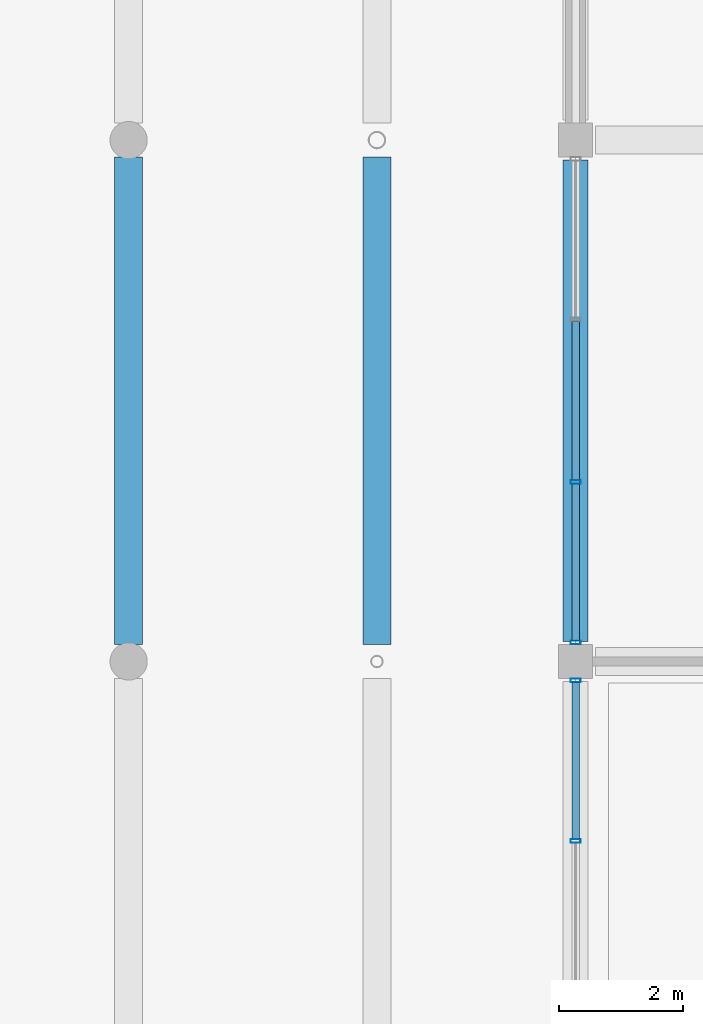
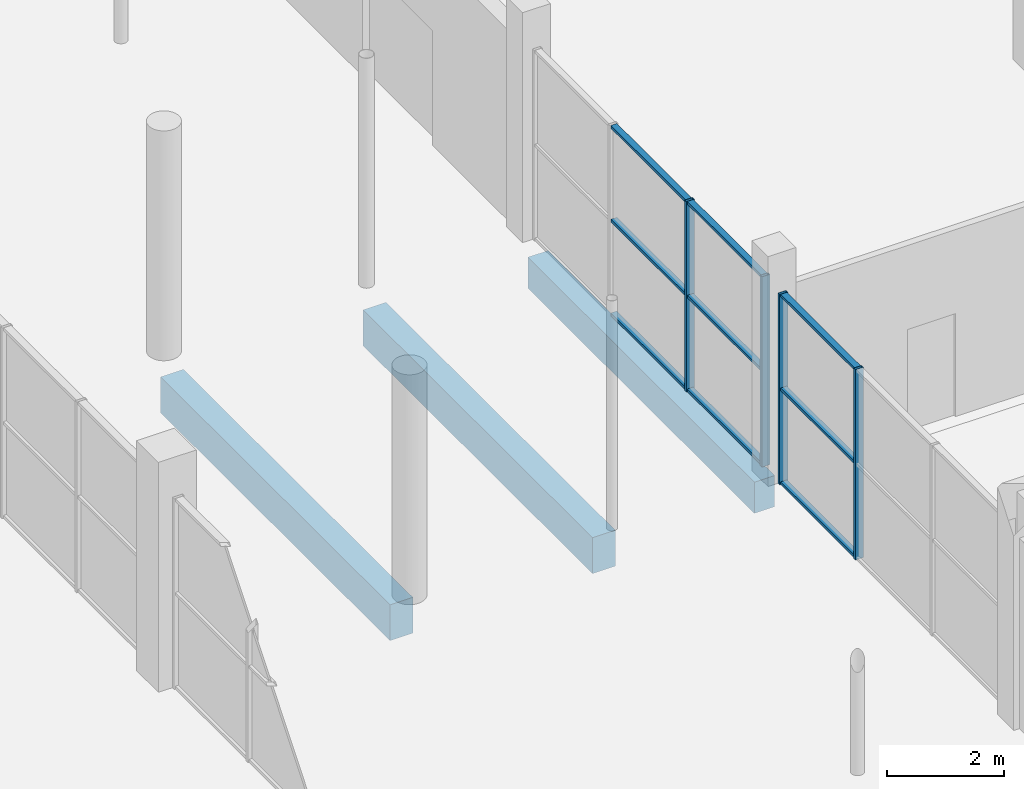
# One storey, part 65 of 130: 13 members, 3 beams, 2 elements without a shape of their own.
"""IFC4 building model written with IfcOpenShell, lengths in metres."""

from ifc_helpers import new_model, si_unit, direction, frame, origin, origin_2d, place, context, subcontext, project, spatial, rectangle, hollow_rectangle, extrude, material, material_profile, profile_set, type_object, element, aggregate, save


model = new_model("IFC4")

# Units and contexts
model_context = context("Model", 3, precision=1e-05, world=origin(), true_north=direction((0.0, 1.0)))
body_context = subcontext(model_context, "Body", "Model", "MODEL_VIEW")
ifc_project = project(units=[si_unit("LENGTHUNIT", "METRE"), si_unit("AREAUNIT", "SQUARE_METRE"), si_unit("VOLUMEUNIT", "CUBIC_METRE"), si_unit("PLANEANGLEUNIT", "RADIAN"), si_unit("MASSUNIT", "GRAM", prefix="KILO"), si_unit("THERMODYNAMICTEMPERATUREUNIT", "KELVIN")], contexts=[model_context])

# Site, building, storey
site_placement = place(None, origin())
site = spatial("IfcSite", under=ifc_project, at=site_placement, CompositionType="ELEMENT")
building_placement = place(site_placement, origin())
building = spatial("IfcBuilding", under=site, at=building_placement, Name="Nduvali Passage Aquatics Centre", CompositionType="ELEMENT")
storey_placement = place(building_placement, origin())
storey = spatial("IfcBuildingStorey", under=building, at=storey_placement, Name="L00", CompositionType="ELEMENT", Elevation=0.0)

# Curtain wall, members
ifc_material_1 = material(Name="Aluminium EN AW-6063 T6", Category="aluminium")
curtain_wall_type = type_object("IfcCurtainWallType", Name="ENV-CW-FOYR", PredefinedType="NOTDEFINED", material=ifc_material_1)
curtain_wall_1_placement = place(storey_placement, origin())
curtain_wall_1 = element("IfcCurtainWall", 1, at=curtain_wall_1_placement, inside=storey, type_object=curtain_wall_type, Name="L00 Passage Foyer Ground CW 069", PredefinedType="NOTDEFINED")
ifc_material_profile_1 = material_profile(ifc_material_1, hollow_rectangle(XDim=0.06005859375, YDim=0.159912109375, WallThickness=0.00390625, at=origin_2d()), Name="ALU MULLION 60x160x4")
ifc_profile_set_1 = profile_set([ifc_material_profile_1], Name="Aluminium EN AW-6063 T6")
member_type_1 = type_object("IfcMemberType", Name="ENV-MEM-MUL60", PredefinedType="MULLION", material=ifc_profile_set_1)
member_1_placement = place(storey_placement, frame((138.0, 39.1083984375, 0.0), z_axis=(0.0, 0.0, 1.0), x_axis=(0.0, 1.0, 0.0)))
member_1 = element("IfcMember", 2, at=member_1_placement, type_object=member_type_1, Name="Passage Foyer Ground CW Mullion 3", PredefinedType="MULLION", context=body_context, shape_type="SweptSolid", body=[
    extrude(hollow_rectangle(XDim=0.06005859375, YDim=0.159912109375, WallThickness=0.00390625, at=origin_2d()), origin(), (0.0, 0.0, 1.0), 3.976318359375),
])
member_2_placement = place(storey_placement, frame((138.0, 41.695068359375, 0.0), z_axis=(0.0, 0.0, 1.0), x_axis=(0.0, 1.0, 0.0)))
member_2 = element("IfcMember", 3, at=member_2_placement, type_object=member_type_1, Name="Passage Foyer Ground CW Mullion 4", PredefinedType="MULLION", context=body_context, shape_type="SweptSolid", body=[
    extrude(hollow_rectangle(XDim=0.06005859375, YDim=0.159912109375, WallThickness=0.00390625, at=origin_2d()), origin(), (0.0, 0.0, 1.0), 3.976318359375),
])

curtain_wall_2_placement = place(storey_placement, origin())
curtain_wall_2 = element("IfcCurtainWall", 4, at=curtain_wall_2_placement, inside=storey, type_object=curtain_wall_type, Name="L00 Passage Foyer Ground CW 071", PredefinedType="NOTDEFINED")
member_3_placement = place(storey_placement, frame((138.0, 42.304931640625, 0.0), z_axis=(0.0, 0.0, 1.0), x_axis=(0.0, 1.0, 0.0)))
member_3 = element("IfcMember", 5, at=member_3_placement, type_object=member_type_1, Name="Passage Foyer Ground CW Mullion 1", PredefinedType="MULLION", context=body_context, shape_type="SweptSolid", body=[
    extrude(hollow_rectangle(XDim=0.06005859375, YDim=0.159912109375, WallThickness=0.00390625, at=origin_2d()), origin(), (0.0, 0.0, 1.0), 3.976318359375),
])
member_4_placement = place(storey_placement, frame((138.0, 44.8916015625, 0.0), z_axis=(0.0, 0.0, 1.0), x_axis=(0.0, 1.0, 0.0)))
member_4 = element("IfcMember", 6, at=member_4_placement, type_object=member_type_1, Name="Passage Foyer Ground CW Mullion 2", PredefinedType="MULLION", context=body_context, shape_type="SweptSolid", body=[
    extrude(hollow_rectangle(XDim=0.06005859375, YDim=0.159912109375, WallThickness=0.00390625, at=origin_2d()), origin(), (0.0, 0.0, 1.0), 3.976318359375),
])

# Member
ifc_material_profile_2 = material_profile(ifc_material_1, hollow_rectangle(XDim=0.1201171875, YDim=0.06005859375, WallThickness=0.00390625, at=origin_2d()), Name="ALU TRANSOM 120x60x4")
ifc_profile_set_2 = profile_set([ifc_material_profile_2], Name="Aluminium EN AW-6063 T6")
member_type_2 = type_object("IfcMemberType", Name="ENV-MEM-TRN60", PredefinedType="USERDEFINED", material=ifc_profile_set_2)
member_5_placement = place(storey_placement, frame((138.0, 39.13818359375, 0.030029296875), z_axis=(0.0, 1.0, 0.0), x_axis=(-1.0, 0.0, 0.0)))
member_5 = element("IfcMember", 7, at=member_5_placement, type_object=member_type_2, Name="Passage Foyer Ground CW Transom B3-R0", ObjectType="TRANSOM", PredefinedType="USERDEFINED", context=body_context, shape_type="SweptSolid", body=[
    extrude(hollow_rectangle(XDim=0.1201171875, YDim=0.06005859375, WallThickness=0.00390625, at=origin_2d()), origin(), (0.0, 0.0, 1.0), 2.52685546875),
])

member_6_placement = place(storey_placement, frame((138.0, 39.13818359375, 1.98828125), z_axis=(0.0, 1.0, 0.0), x_axis=(-1.0, 0.0, 0.0)))
member_6 = element("IfcMember", 8, at=member_6_placement, type_object=member_type_2, Name="Passage Foyer Ground CW Transom B3-R1", ObjectType="TRANSOM", PredefinedType="USERDEFINED", context=body_context, shape_type="SweptSolid", body=[
    extrude(hollow_rectangle(XDim=0.1201171875, YDim=0.06005859375, WallThickness=0.00390625, at=origin_2d()), origin(), (0.0, 0.0, 1.0), 2.52685546875),
])

member_7_placement = place(storey_placement, frame((138.0, 39.13818359375, 3.9462890625), z_axis=(0.0, 1.0, 0.0), x_axis=(-1.0, 0.0, 0.0)))
member_7 = element("IfcMember", 9, at=member_7_placement, type_object=member_type_2, Name="Passage Foyer Ground CW Transom B3-R2", ObjectType="TRANSOM", PredefinedType="USERDEFINED", context=body_context, shape_type="SweptSolid", body=[
    extrude(hollow_rectangle(XDim=0.1201171875, YDim=0.06005859375, WallThickness=0.00390625, at=origin_2d()), origin(), (0.0, 0.0, 1.0), 2.52685546875),
])

aggregate(curtain_wall_1, [member_1, member_2, member_5, member_6, member_7])

member_8_placement = place(storey_placement, frame((138.0, 42.3349609375, 0.030029296875), z_axis=(0.0, 1.0, 0.0), x_axis=(-1.0, 0.0, 0.0)))
member_8 = element("IfcMember", 10, at=member_8_placement, type_object=member_type_2, Name="Passage Foyer Ground CW Transom B1-R0", ObjectType="TRANSOM", PredefinedType="USERDEFINED", context=body_context, shape_type="SweptSolid", body=[
    extrude(hollow_rectangle(XDim=0.1201171875, YDim=0.06005859375, WallThickness=0.00390625, at=origin_2d()), origin(), (0.0, 0.0, 1.0), 2.52685546875),
])

member_9_placement = place(storey_placement, frame((138.0, 42.3349609375, 1.98828125), z_axis=(0.0, 1.0, 0.0), x_axis=(-1.0, 0.0, 0.0)))
member_9 = element("IfcMember", 11, at=member_9_placement, type_object=member_type_2, Name="Passage Foyer Ground CW Transom B1-R1", ObjectType="TRANSOM", PredefinedType="USERDEFINED", context=body_context, shape_type="SweptSolid", body=[
    extrude(hollow_rectangle(XDim=0.1201171875, YDim=0.06005859375, WallThickness=0.00390625, at=origin_2d()), origin(), (0.0, 0.0, 1.0), 2.52685546875),
])

member_10_placement = place(storey_placement, frame((138.0, 42.3349609375, 3.9462890625), z_axis=(0.0, 1.0, 0.0), x_axis=(-1.0, 0.0, 0.0)))
member_10 = element("IfcMember", 12, at=member_10_placement, type_object=member_type_2, Name="Passage Foyer Ground CW Transom B1-R2", ObjectType="TRANSOM", PredefinedType="USERDEFINED", context=body_context, shape_type="SweptSolid", body=[
    extrude(hollow_rectangle(XDim=0.1201171875, YDim=0.06005859375, WallThickness=0.00390625, at=origin_2d()), origin(), (0.0, 0.0, 1.0), 2.52685546875),
])

member_11_placement = place(storey_placement, frame((138.0, 44.921630859375, 0.030029296875), z_axis=(0.0, 1.0, 0.0), x_axis=(-1.0, 0.0, 0.0)))
member_11 = element("IfcMember", 13, at=member_11_placement, type_object=member_type_2, Name="Passage Foyer Ground CW Transom B2-R0", ObjectType="TRANSOM", PredefinedType="USERDEFINED", context=body_context, shape_type="SweptSolid", body=[
    extrude(hollow_rectangle(XDim=0.1201171875, YDim=0.06005859375, WallThickness=0.00390625, at=origin_2d()), origin(), (0.0, 0.0, 1.0), 2.556640625),
])

member_12_placement = place(storey_placement, frame((138.0, 44.921630859375, 1.98828125), z_axis=(0.0, 1.0, 0.0), x_axis=(-1.0, 0.0, 0.0)))
member_12 = element("IfcMember", 14, at=member_12_placement, type_object=member_type_2, Name="Passage Foyer Ground CW Transom B2-R1", ObjectType="TRANSOM", PredefinedType="USERDEFINED", context=body_context, shape_type="SweptSolid", body=[
    extrude(hollow_rectangle(XDim=0.1201171875, YDim=0.06005859375, WallThickness=0.00390625, at=origin_2d()), origin(), (0.0, 0.0, 1.0), 2.556640625),
])

member_13_placement = place(storey_placement, frame((138.0, 44.921630859375, 3.9462890625), z_axis=(0.0, 1.0, 0.0), x_axis=(-1.0, 0.0, 0.0)))
member_13 = element("IfcMember", 15, at=member_13_placement, type_object=member_type_2, Name="Passage Foyer Ground CW Transom B2-R2", ObjectType="TRANSOM", PredefinedType="USERDEFINED", context=body_context, shape_type="SweptSolid", body=[
    extrude(hollow_rectangle(XDim=0.1201171875, YDim=0.06005859375, WallThickness=0.00390625, at=origin_2d()), origin(), (0.0, 0.0, 1.0), 2.556640625),
])

aggregate(curtain_wall_2, [member_3, member_4, member_8, member_9, member_10, member_11, member_12, member_13])

# Beams
ifc_material_2 = material(Name="Concrete C40/50", Category="concrete")
ifc_material_profile_3 = material_profile(ifc_material_2, rectangle(XDim=0.449951171875, YDim=0.75, at=origin_2d()), Name="RC 450x750")
ifc_profile_set_3 = profile_set([ifc_material_profile_3], Name="Concrete C40/50")
beam_type_1 = type_object("IfcBeamType", Name="STR-BM-RC4575", PredefinedType="BEAM", material=ifc_profile_set_3)
for number, where, z_axis, x_axis, name in (
    (16, (130.800048828125, 42.27490234375, -0.675048828125), (0.0, 1.0, 0.0), (-1.0, 0.0, 0.0), "L00 Primary Y-Girder B3-0206"),
    (17, (134.800048828125, 42.27490234375, -0.675048828125), (0.0, 1.0, 0.0), (-1.0, 0.0, 0.0), "L00 Primary Y-Girder B3-0217"),
):
    element("IfcBeam", number, at=place(storey_placement, frame(where, z_axis=z_axis, x_axis=x_axis)), inside=storey, type_object=beam_type_1, Name=name, PredefinedType="BEAM", context=body_context, shape_type="SweptSolid", body=[
        extrude(rectangle(XDim=0.449951171875, YDim=0.75, at=origin_2d()), origin(), (0.0, 0.0, 1.0), 7.85009765625),
    ])
ifc_material_profile_4 = material_profile(ifc_material_2, rectangle(XDim=0.39990234375, YDim=0.64990234375, at=origin_2d()), Name="RC 400x650")
ifc_profile_set_4 = profile_set([ifc_material_profile_4], Name="Concrete C40/50")
beam_type_2 = type_object("IfcBeamType", Name="STR-SPN-RC4065-EXT", PredefinedType="SPANDREL", material=ifc_profile_set_4)
beam_placement = place(storey_placement, frame((138.0, 42.324951171875, -0.625), z_axis=(0.0, 1.0, 0.0), x_axis=(-1.0, 0.0, 0.0)))
element("IfcBeam", 18, at=beam_placement, inside=storey, type_object=beam_type_2, Name="L00 Primary Y-Girder SP1E-0225", PredefinedType="SPANDREL", context=body_context, shape_type="SweptSolid", body=[
    extrude(rectangle(XDim=0.39990234375, YDim=0.64990234375, at=origin_2d()), origin(), (0.0, 0.0, 1.0), 7.75),
])

save(model, "model.ifc")
